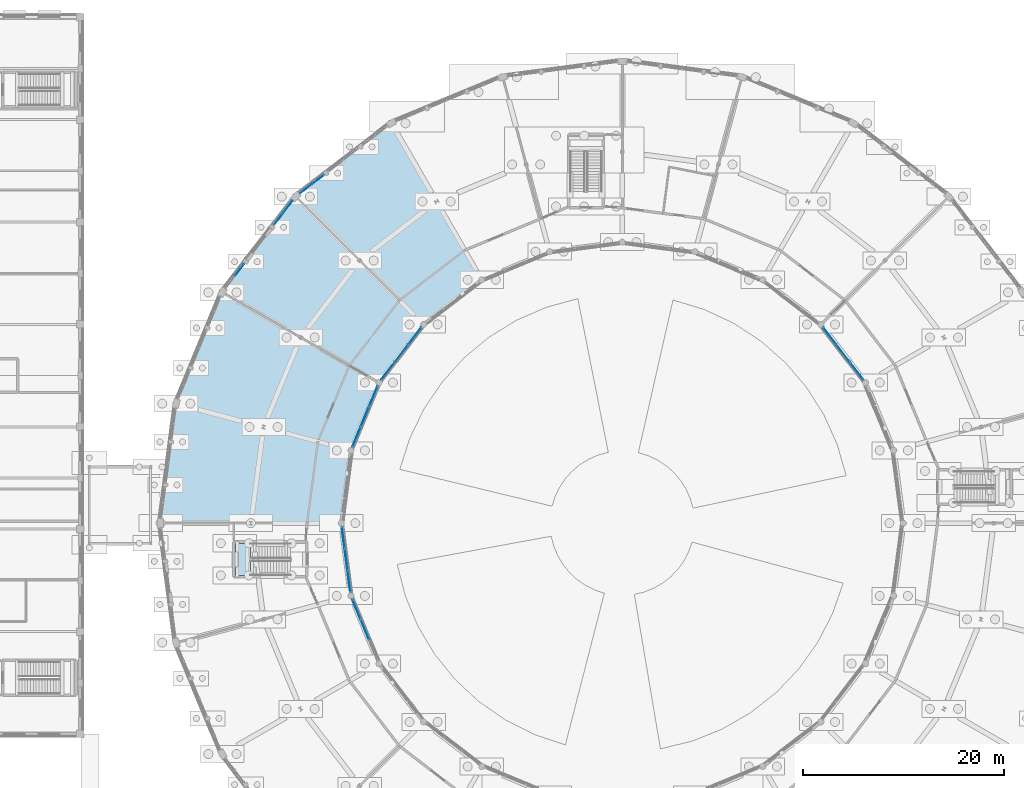
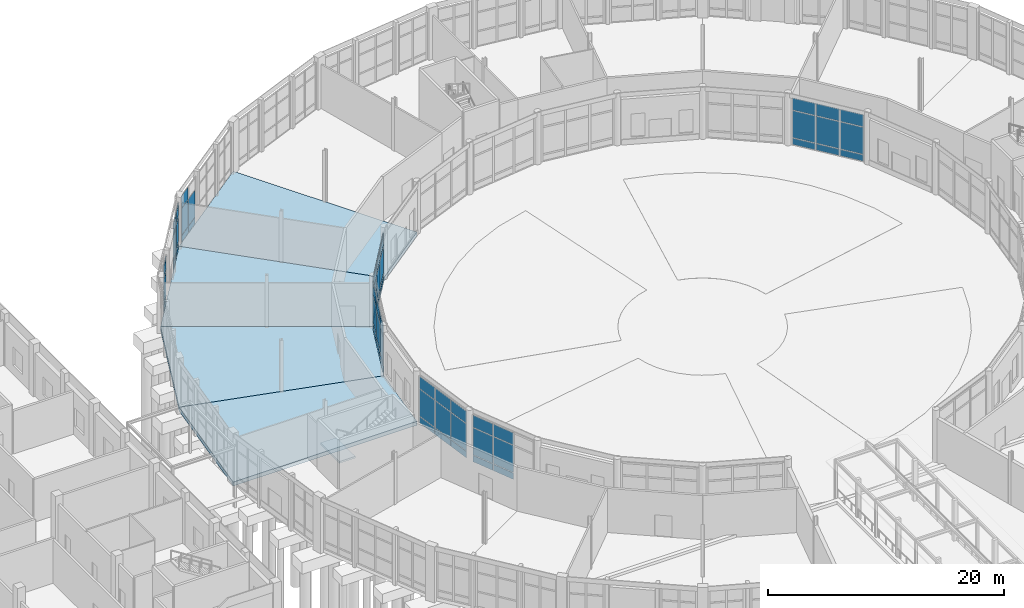
# One storey, part 89 of 137: 56 plates, 5 slabs, 9 elements without a shape of their own.
"""IFC4 building model written with IfcOpenShell, lengths in metres."""

from ifc_helpers import new_model, si_unit, direction, frame, origin, origin_2d, place, context, subcontext, project, spatial, polyline, rectangle, outline, extrude, material, layer, layer_set, type_object, element, aggregate, save


model = new_model("IFC4")

# Units and contexts
model_context = context("Model", 3, precision=1e-05, world=origin(), true_north=direction((0.0, 1.0)))
body_context = subcontext(model_context, "Body", "Model", "MODEL_VIEW")
ifc_project = project(units=[si_unit("LENGTHUNIT", "METRE"), si_unit("AREAUNIT", "SQUARE_METRE"), si_unit("VOLUMEUNIT", "CUBIC_METRE"), si_unit("PLANEANGLEUNIT", "RADIAN"), si_unit("MASSUNIT", "GRAM", prefix="KILO")], contexts=[model_context])

# Site, building, storey
site_placement = place(None, origin())
site = spatial("IfcSite", under=ifc_project, at=site_placement, CompositionType="ELEMENT")
building_placement = place(site_placement, origin())
building = spatial("IfcBuilding", under=site, at=building_placement, Name="Vondelvale Polytechnic", CompositionType="ELEMENT")
storey_placement = place(building_placement, origin())
storey = spatial("IfcBuildingStorey", under=building, at=storey_placement, Name="L00", CompositionType="ELEMENT", Elevation=0.0)

# Curtain wall, plates
ifc_material_1 = material(Name="Anodised extruded aluminium 6063-T6", Category="aluminium")
curtain_wall_type_1 = type_object("IfcCurtainWallType", Name="CW-RING-CLOISTER", PredefinedType="NOTDEFINED", material=ifc_material_1)
curtain_wall_1_placement = place(storey_placement, origin())
curtain_wall_1 = element("IfcCurtainWall", 1, at=curtain_wall_1_placement, inside=storey, type_object=curtain_wall_type_1, Name="L00 architectural curtain wall CW-03-085", PredefinedType="NOTDEFINED")
ifc_material_2 = material(Name="Double-glazed low-E insulated architectural glass", Category="glass")
ifc_layer_1 = layer(ifc_material_2, 0.028076171875)
ifc_layer_set_1 = layer_set([ifc_layer_1], Name="CW-PANEL-GLAZED")
plate_type_1 = type_object("IfcPlateType", Name="CW-PANEL-GLAZED", PredefinedType="CURTAIN_PANEL", material=ifc_layer_set_1)
plate_1_placement = place(storey_placement, frame((125.363037109375, 87.154296875, 0.78271484375), z_axis=(0.0, 0.0, 1.0), x_axis=(-0.608747717793, 0.793363861089, 0.0)))
plate_1 = element("IfcPlate", 2, at=plate_1_placement, type_object=plate_type_1, Name="CW-03-085 panel 1.2", PredefinedType="CURTAIN_PANEL", context=body_context, shape_type="SweptSolid", body=[
    extrude(rectangle(XDim=2.1123046875, YDim=0.028076171875, at=origin_2d()), origin(), (0.0, 0.0, 1.0), 2.784912109375),
])
plate_2_placement = place(storey_placement, frame((125.363037109375, 87.154296875, 3.632568359375), z_axis=(0.0, 0.0, 1.0), x_axis=(-0.608747717793, 0.793363861089, 0.0)))
plate_2 = element("IfcPlate", 3, at=plate_2_placement, type_object=plate_type_1, Name="CW-03-085 panel 1.3", PredefinedType="CURTAIN_PANEL", context=body_context, shape_type="SweptSolid", body=[
    extrude(rectangle(XDim=2.1123046875, YDim=0.028076171875, at=origin_2d()), origin(), (0.0, 0.0, 1.0), 1.25244140625),
])
plate_3_placement = place(storey_placement, frame((124.02392578125, 88.8994140625, 0.78271484375), z_axis=(0.0, 0.0, 1.0), x_axis=(-0.608747717793, 0.793363861089, 0.0)))
plate_3 = element("IfcPlate", 4, at=plate_3_placement, type_object=plate_type_1, Name="CW-03-085 panel 2.2", PredefinedType="CURTAIN_PANEL", context=body_context, shape_type="SweptSolid", body=[
    extrude(rectangle(XDim=2.1474609375, YDim=0.028076171875, at=origin_2d()), origin(), (0.0, 0.0, 1.0), 2.784912109375),
])
plate_4_placement = place(storey_placement, frame((124.02392578125, 88.8994140625, 3.632568359375), z_axis=(0.0, 0.0, 1.0), x_axis=(-0.608747717793, 0.793363861089, 0.0)))
plate_4 = element("IfcPlate", 5, at=plate_4_placement, type_object=plate_type_1, Name="CW-03-085 panel 2.3", PredefinedType="CURTAIN_PANEL", context=body_context, shape_type="SweptSolid", body=[
    extrude(rectangle(XDim=2.1474609375, YDim=0.028076171875, at=origin_2d()), origin(), (0.0, 0.0, 1.0), 1.25244140625),
])
plate_5_placement = place(storey_placement, frame((122.6845703125, 90.644775390625, 0.78271484375), z_axis=(0.0, 0.0, 1.0), x_axis=(-0.608747717793, 0.793363861089, 0.0)))
plate_5 = element("IfcPlate", 6, at=plate_5_placement, type_object=plate_type_1, Name="CW-03-085 panel 3.2", PredefinedType="CURTAIN_PANEL", context=body_context, shape_type="SweptSolid", body=[
    extrude(rectangle(XDim=2.1123046875, YDim=0.028076171875, at=origin_2d()), origin(), (0.0, 0.0, 1.0), 2.784912109375),
])
plate_6_placement = place(storey_placement, frame((122.6845703125, 90.644775390625, 3.632568359375), z_axis=(0.0, 0.0, 1.0), x_axis=(-0.608747717793, 0.793363861089, 0.0)))
plate_6 = element("IfcPlate", 7, at=plate_6_placement, type_object=plate_type_1, Name="CW-03-085 panel 3.3", PredefinedType="CURTAIN_PANEL", context=body_context, shape_type="SweptSolid", body=[
    extrude(rectangle(XDim=2.1123046875, YDim=0.028076171875, at=origin_2d()), origin(), (0.0, 0.0, 1.0), 1.25244140625),
])

ifc_material_3 = material(Name="Glulam GL18 structural Tasmanian oak (fb = 42 MPa)", Category="wood")
curtain_wall_type_2 = type_object("IfcCurtainWallType", Name="CW-RING-OUTER", PredefinedType="NOTDEFINED", material=ifc_material_3)
curtain_wall_2_placement = place(storey_placement, origin())
curtain_wall_2 = element("IfcCurtainWall", 8, at=curtain_wall_2_placement, inside=storey, type_object=curtain_wall_type_2, Name="L00 architectural curtain wall CW-04-193", PredefinedType="NOTDEFINED")
plate_7_placement = place(storey_placement, frame((71.69091796875, 106.228759765625, 0.77978515625), z_axis=(0.0, 0.0, 1.0), x_axis=(-0.793351666305, -0.608763610584, 0.0)))
plate_7 = element("IfcPlate", 9, at=plate_7_placement, type_object=plate_type_1, Name="CW-04-193 panel 1.2", PredefinedType="CURTAIN_PANEL", context=body_context, shape_type="SweptSolid", body=[
    extrude(rectangle(XDim=1.454345703125, YDim=0.028076171875, at=origin_2d()), origin(), (0.0, 0.0, 1.0), 2.760009765625),
])
plate_8_placement = place(storey_placement, frame((70.485595703125, 105.303955078125, 0.77978515625), z_axis=(0.0, 0.0, 1.0), x_axis=(-0.793351666305, -0.608763610584, 0.0)))
plate_8 = element("IfcPlate", 10, at=plate_8_placement, type_object=plate_type_1, Name="CW-04-193 panel 2.2", PredefinedType="CURTAIN_PANEL", context=body_context, shape_type="SweptSolid", body=[
    extrude(rectangle(XDim=1.454345703125, YDim=0.028076171875, at=origin_2d()), origin(), (0.0, 0.0, 1.0), 2.760009765625),
])
plate_9_placement = place(storey_placement, frame((70.485595703125, 105.303955078125, 3.60009765625), z_axis=(0.0, 0.0, 1.0), x_axis=(-0.793351666305, -0.608763610584, 0.0)))
plate_9 = element("IfcPlate", 11, at=plate_9_placement, type_object=plate_type_1, Name="CW-04-193 panel 2.3", PredefinedType="CURTAIN_PANEL", context=body_context, shape_type="SweptSolid", body=[
    extrude(rectangle(XDim=1.454345703125, YDim=0.028076171875, at=origin_2d()), origin(), (0.0, 0.0, 1.0), 1.260009765625),
])

curtain_wall_3_placement = place(storey_placement, origin())
curtain_wall_3 = element("IfcCurtainWall", 12, at=curtain_wall_3_placement, inside=storey, type_object=curtain_wall_type_1, Name="L00 architectural curtain wall CW-03-210", PredefinedType="NOTDEFINED")
plate_10_placement = place(storey_placement, frame((81.3154296875, 90.644775390625, 0.78271484375), z_axis=(0.0, 0.0, 1.0), x_axis=(-0.608747717793, -0.793363861089, 0.0)))
plate_10 = element("IfcPlate", 13, at=plate_10_placement, type_object=plate_type_1, Name="CW-03-210 panel 1.2", PredefinedType="CURTAIN_PANEL", context=body_context, shape_type="SweptSolid", body=[
    extrude(rectangle(XDim=2.1123046875, YDim=0.028076171875, at=origin_2d()), origin(), (0.0, 0.0, 1.0), 2.784912109375),
])
plate_11_placement = place(storey_placement, frame((81.3154296875, 90.644775390625, 3.632568359375), z_axis=(0.0, 0.0, 1.0), x_axis=(-0.608747717793, -0.793363861089, 0.0)))
plate_11 = element("IfcPlate", 14, at=plate_11_placement, type_object=plate_type_1, Name="CW-03-210 panel 1.3", PredefinedType="CURTAIN_PANEL", context=body_context, shape_type="SweptSolid", body=[
    extrude(rectangle(XDim=2.1123046875, YDim=0.028076171875, at=origin_2d()), origin(), (0.0, 0.0, 1.0), 1.25244140625),
])
plate_12_placement = place(storey_placement, frame((79.97607421875, 88.8994140625, 0.78271484375), z_axis=(0.0, 0.0, 1.0), x_axis=(-0.608747717793, -0.793363861089, 0.0)))
plate_12 = element("IfcPlate", 15, at=plate_12_placement, type_object=plate_type_1, Name="CW-03-210 panel 2.2", PredefinedType="CURTAIN_PANEL", context=body_context, shape_type="SweptSolid", body=[
    extrude(rectangle(XDim=2.1474609375, YDim=0.028076171875, at=origin_2d()), origin(), (0.0, 0.0, 1.0), 2.784912109375),
])
plate_13_placement = place(storey_placement, frame((79.97607421875, 88.8994140625, 3.632568359375), z_axis=(0.0, 0.0, 1.0), x_axis=(-0.608747717793, -0.793363861089, 0.0)))
plate_13 = element("IfcPlate", 16, at=plate_13_placement, type_object=plate_type_1, Name="CW-03-210 panel 2.3", PredefinedType="CURTAIN_PANEL", context=body_context, shape_type="SweptSolid", body=[
    extrude(rectangle(XDim=2.1474609375, YDim=0.028076171875, at=origin_2d()), origin(), (0.0, 0.0, 1.0), 1.25244140625),
])
plate_14_placement = place(storey_placement, frame((78.636962890625, 87.154296875, 0.78271484375), z_axis=(0.0, 0.0, 1.0), x_axis=(-0.608747717793, -0.793363861089, 0.0)))
plate_14 = element("IfcPlate", 17, at=plate_14_placement, type_object=plate_type_1, Name="CW-03-210 panel 3.2", PredefinedType="CURTAIN_PANEL", context=body_context, shape_type="SweptSolid", body=[
    extrude(rectangle(XDim=2.1123046875, YDim=0.028076171875, at=origin_2d()), origin(), (0.0, 0.0, 1.0), 2.784912109375),
])
plate_15_placement = place(storey_placement, frame((78.636962890625, 87.154296875, 3.632568359375), z_axis=(0.0, 0.0, 1.0), x_axis=(-0.608747717793, -0.793363861089, 0.0)))
plate_15 = element("IfcPlate", 18, at=plate_15_placement, type_object=plate_type_1, Name="CW-03-210 panel 3.3", PredefinedType="CURTAIN_PANEL", context=body_context, shape_type="SweptSolid", body=[
    extrude(rectangle(XDim=2.1123046875, YDim=0.028076171875, at=origin_2d()), origin(), (0.0, 0.0, 1.0), 1.25244140625),
])

curtain_wall_4_placement = place(storey_placement, origin())
curtain_wall_4 = element("IfcCurtainWall", 19, at=curtain_wall_4_placement, inside=storey, type_object=curtain_wall_type_2, Name="L00 architectural curtain wall CW-04-211", PredefinedType="NOTDEFINED")
plate_16_placement = place(storey_placement, frame((68.696044921875, 103.514404296875, 0.8798828125), z_axis=(0.0, 0.0, 1.0), x_axis=(-0.608763610584, -0.793351666305, 0.0)))
plate_16 = element("IfcPlate", 20, at=plate_16_placement, type_object=plate_type_1, Name="CW-04-211 panel 1.2", PredefinedType="CURTAIN_PANEL", context=body_context, shape_type="SweptSolid", body=[
    extrude(rectangle(XDim=1.454345703125, YDim=0.028076171875, at=origin_2d()), origin(), (0.0, 0.0, 1.0), 2.659912109375),
])
plate_17_placement = place(storey_placement, frame((68.696044921875, 103.514404296875, 3.60009765625), z_axis=(0.0, 0.0, 1.0), x_axis=(-0.608763610584, -0.793351666305, 0.0)))
plate_17 = element("IfcPlate", 21, at=plate_17_placement, type_object=plate_type_1, Name="CW-04-211 panel 1.3", PredefinedType="CURTAIN_PANEL", context=body_context, shape_type="SweptSolid", body=[
    extrude(rectangle(XDim=1.454345703125, YDim=0.028076171875, at=origin_2d()), origin(), (0.0, 0.0, 1.0), 1.260009765625),
])
plate_18_placement = place(storey_placement, frame((67.771240234375, 102.30908203125, 0.8798828125), z_axis=(0.0, 0.0, 1.0), x_axis=(-0.608763610584, -0.793351666305, 0.0)))
plate_18 = element("IfcPlate", 22, at=plate_18_placement, type_object=plate_type_1, Name="CW-04-211 panel 2.2", PredefinedType="CURTAIN_PANEL", context=body_context, shape_type="SweptSolid", body=[
    extrude(rectangle(XDim=1.454345703125, YDim=0.028076171875, at=origin_2d()), origin(), (0.0, 0.0, 1.0), 2.659912109375),
])
plate_19_placement = place(storey_placement, frame((67.771240234375, 102.30908203125, 3.60009765625), z_axis=(0.0, 0.0, 1.0), x_axis=(-0.608763610584, -0.793351666305, 0.0)))
plate_19 = element("IfcPlate", 23, at=plate_19_placement, type_object=plate_type_1, Name="CW-04-211 panel 2.3", PredefinedType="CURTAIN_PANEL", context=body_context, shape_type="SweptSolid", body=[
    extrude(rectangle(XDim=1.454345703125, YDim=0.028076171875, at=origin_2d()), origin(), (0.0, 0.0, 1.0), 1.260009765625),
])

curtain_wall_5_placement = place(storey_placement, origin())
curtain_wall_5 = element("IfcCurtainWall", 24, at=curtain_wall_5_placement, inside=storey, type_object=curtain_wall_type_2, Name="L00 architectural curtain wall CW-04-212", PredefinedType="NOTDEFINED")
plate_20_placement = place(storey_placement, frame((63.86474609375, 97.2177734375, 0.8798828125), z_axis=(0.0, 0.0, 1.0), x_axis=(-0.608763610584, -0.793351666305, 0.0)))
plate_20 = element("IfcPlate", 25, at=plate_20_placement, type_object=plate_type_1, Name="CW-04-212 panel 1.2", PredefinedType="CURTAIN_PANEL", context=body_context, shape_type="SweptSolid", body=[
    extrude(rectangle(XDim=1.454345703125, YDim=0.028076171875, at=origin_2d()), origin(), (0.0, 0.0, 1.0), 2.659912109375),
])
plate_21_placement = place(storey_placement, frame((63.86474609375, 97.2177734375, 3.60009765625), z_axis=(0.0, 0.0, 1.0), x_axis=(-0.608763610584, -0.793351666305, 0.0)))
plate_21 = element("IfcPlate", 26, at=plate_21_placement, type_object=plate_type_1, Name="CW-04-212 panel 1.3", PredefinedType="CURTAIN_PANEL", context=body_context, shape_type="SweptSolid", body=[
    extrude(rectangle(XDim=1.454345703125, YDim=0.028076171875, at=origin_2d()), origin(), (0.0, 0.0, 1.0), 1.260009765625),
])

curtain_wall_6_placement = place(storey_placement, origin())
curtain_wall_6 = element("IfcCurtainWall", 27, at=curtain_wall_6_placement, inside=storey, type_object=curtain_wall_type_1, Name="L00 architectural curtain wall CW-03-225", PredefinedType="NOTDEFINED")
plate_22_placement = place(storey_placement, frame((77.194091796875, 84.655029296875, 0.78271484375), z_axis=(0.0, 0.0, 1.0), x_axis=(-0.382678531697, -0.923881562419, 0.0)))
plate_22 = element("IfcPlate", 28, at=plate_22_placement, type_object=plate_type_1, Name="CW-03-225 panel 1.2", PredefinedType="CURTAIN_PANEL", context=body_context, shape_type="SweptSolid", body=[
    extrude(rectangle(XDim=2.111572265625, YDim=0.028076171875, at=origin_2d()), origin(), (0.0, 0.0, 1.0), 2.784912109375),
])
plate_23_placement = place(storey_placement, frame((77.194091796875, 84.655029296875, 3.632568359375), z_axis=(0.0, 0.0, 1.0), x_axis=(-0.382678531697, -0.923881562419, 0.0)))
plate_23 = element("IfcPlate", 29, at=plate_23_placement, type_object=plate_type_1, Name="CW-03-225 panel 1.3", PredefinedType="CURTAIN_PANEL", context=body_context, shape_type="SweptSolid", body=[
    extrude(rectangle(XDim=2.111572265625, YDim=0.028076171875, at=origin_2d()), origin(), (0.0, 0.0, 1.0), 1.25244140625),
])
plate_24_placement = place(storey_placement, frame((76.352783203125, 82.62353515625, 0.78271484375), z_axis=(0.0, 0.0, 1.0), x_axis=(-0.382678531697, -0.923881562419, 0.0)))
plate_24 = element("IfcPlate", 30, at=plate_24_placement, type_object=plate_type_1, Name="CW-03-225 panel 2.2", PredefinedType="CURTAIN_PANEL", context=body_context, shape_type="SweptSolid", body=[
    extrude(rectangle(XDim=2.146484375, YDim=0.028076171875, at=origin_2d()), origin(), (0.0, 0.0, 1.0), 2.784912109375),
])
plate_25_placement = place(storey_placement, frame((76.352783203125, 82.62353515625, 3.632568359375), z_axis=(0.0, 0.0, 1.0), x_axis=(-0.382678531697, -0.923881562419, 0.0)))
plate_25 = element("IfcPlate", 31, at=plate_25_placement, type_object=plate_type_1, Name="CW-03-225 panel 2.3", PredefinedType="CURTAIN_PANEL", context=body_context, shape_type="SweptSolid", body=[
    extrude(rectangle(XDim=2.146484375, YDim=0.028076171875, at=origin_2d()), origin(), (0.0, 0.0, 1.0), 1.25244140625),
])
plate_26_placement = place(storey_placement, frame((75.51123046875, 80.591796875, 0.78271484375), z_axis=(0.0, 0.0, 1.0), x_axis=(-0.382678531697, -0.923881562419, 0.0)))
plate_26 = element("IfcPlate", 32, at=plate_26_placement, type_object=plate_type_1, Name="CW-03-225 panel 3.2", PredefinedType="CURTAIN_PANEL", context=body_context, shape_type="SweptSolid", body=[
    extrude(rectangle(XDim=2.111572265625, YDim=0.028076171875, at=origin_2d()), origin(), (0.0, 0.0, 1.0), 2.784912109375),
])
plate_27_placement = place(storey_placement, frame((75.51123046875, 80.591796875, 3.632568359375), z_axis=(0.0, 0.0, 1.0), x_axis=(-0.382678531697, -0.923881562419, 0.0)))
plate_27 = element("IfcPlate", 33, at=plate_27_placement, type_object=plate_type_1, Name="CW-03-225 panel 3.3", PredefinedType="CURTAIN_PANEL", context=body_context, shape_type="SweptSolid", body=[
    extrude(rectangle(XDim=2.111572265625, YDim=0.028076171875, at=origin_2d()), origin(), (0.0, 0.0, 1.0), 1.25244140625),
])

curtain_wall_7_placement = place(storey_placement, origin())
curtain_wall_7 = element("IfcCurtainWall", 34, at=curtain_wall_7_placement, inside=storey, type_object=curtain_wall_type_1, Name="L00 architectural curtain wall CW-03-256", PredefinedType="NOTDEFINED")
plate_28_placement = place(storey_placement, frame((74.18994140625, 70.5576171875, 0.78271484375), z_axis=(0.0, 0.0, 1.0), x_axis=(0.130528007165, -0.99144462243, 0.0)))
plate_28 = element("IfcPlate", 35, at=plate_28_placement, type_object=plate_type_1, Name="CW-03-256 panel 1.2", PredefinedType="CURTAIN_PANEL", context=body_context, shape_type="SweptSolid", body=[
    extrude(rectangle(XDim=2.1123046875, YDim=0.028076171875, at=origin_2d()), origin(), (0.0, 0.0, 1.0), 2.784912109375),
])
plate_29_placement = place(storey_placement, frame((74.18994140625, 70.5576171875, 3.632568359375), z_axis=(0.0, 0.0, 1.0), x_axis=(0.130528007165, -0.99144462243, 0.0)))
plate_29 = element("IfcPlate", 36, at=plate_29_placement, type_object=plate_type_1, Name="CW-03-256 panel 1.3", PredefinedType="CURTAIN_PANEL", context=body_context, shape_type="SweptSolid", body=[
    extrude(rectangle(XDim=2.1123046875, YDim=0.028076171875, at=origin_2d()), origin(), (0.0, 0.0, 1.0), 1.25244140625),
])
plate_30_placement = place(storey_placement, frame((74.47705078125, 68.37646484375, 0.78271484375), z_axis=(0.0, 0.0, 1.0), x_axis=(0.130528007165, -0.99144462243, 0.0)))
plate_30 = element("IfcPlate", 37, at=plate_30_placement, type_object=plate_type_1, Name="CW-03-256 panel 2.2", PredefinedType="CURTAIN_PANEL", context=body_context, shape_type="SweptSolid", body=[
    extrude(rectangle(XDim=2.1474609375, YDim=0.028076171875, at=origin_2d()), origin(), (0.0, 0.0, 1.0), 2.784912109375),
])
plate_31_placement = place(storey_placement, frame((74.47705078125, 68.37646484375, 3.632568359375), z_axis=(0.0, 0.0, 1.0), x_axis=(0.130528007165, -0.99144462243, 0.0)))
plate_31 = element("IfcPlate", 38, at=plate_31_placement, type_object=plate_type_1, Name="CW-03-256 panel 2.3", PredefinedType="CURTAIN_PANEL", context=body_context, shape_type="SweptSolid", body=[
    extrude(rectangle(XDim=2.1474609375, YDim=0.028076171875, at=origin_2d()), origin(), (0.0, 0.0, 1.0), 1.25244140625),
])
plate_32_placement = place(storey_placement, frame((74.76416015625, 66.195556640625, 0.78271484375), z_axis=(0.0, 0.0, 1.0), x_axis=(0.130528007165, -0.99144462243, 0.0)))
plate_32 = element("IfcPlate", 39, at=plate_32_placement, type_object=plate_type_1, Name="CW-03-256 panel 3.2", PredefinedType="CURTAIN_PANEL", context=body_context, shape_type="SweptSolid", body=[
    extrude(rectangle(XDim=2.1123046875, YDim=0.028076171875, at=origin_2d()), origin(), (0.0, 0.0, 1.0), 2.784912109375),
])
plate_33_placement = place(storey_placement, frame((74.76416015625, 66.195556640625, 3.632568359375), z_axis=(0.0, 0.0, 1.0), x_axis=(0.130528007165, -0.99144462243, 0.0)))
plate_33 = element("IfcPlate", 40, at=plate_33_placement, type_object=plate_type_1, Name="CW-03-256 panel 3.3", PredefinedType="CURTAIN_PANEL", context=body_context, shape_type="SweptSolid", body=[
    extrude(rectangle(XDim=2.1123046875, YDim=0.028076171875, at=origin_2d()), origin(), (0.0, 0.0, 1.0), 1.25244140625),
])

curtain_wall_8_placement = place(storey_placement, origin())
curtain_wall_8 = element("IfcCurtainWall", 41, at=curtain_wall_8_placement, inside=storey, type_object=curtain_wall_type_1, Name="L00 architectural curtain wall CW-03-275", PredefinedType="NOTDEFINED")
plate_34_placement = place(storey_placement, frame((75.51123046875, 63.408203125, 0.78271484375), z_axis=(0.0, 0.0, 1.0), x_axis=(0.382678531697, -0.923881562419, 0.0)))
plate_34 = element("IfcPlate", 42, at=plate_34_placement, type_object=plate_type_1, Name="CW-03-275 panel 1.2", PredefinedType="CURTAIN_PANEL", context=body_context, shape_type="SweptSolid", body=[
    extrude(rectangle(XDim=2.111572265625, YDim=0.028076171875, at=origin_2d()), origin(), (0.0, 0.0, 1.0), 2.784912109375),
])
plate_35_placement = place(storey_placement, frame((75.51123046875, 63.408203125, 3.632568359375), z_axis=(0.0, 0.0, 1.0), x_axis=(0.382678531697, -0.923881562419, 0.0)))
plate_35 = element("IfcPlate", 43, at=plate_35_placement, type_object=plate_type_1, Name="CW-03-275 panel 1.3", PredefinedType="CURTAIN_PANEL", context=body_context, shape_type="SweptSolid", body=[
    extrude(rectangle(XDim=2.111572265625, YDim=0.028076171875, at=origin_2d()), origin(), (0.0, 0.0, 1.0), 1.25244140625),
])
plate_36_placement = place(storey_placement, frame((76.352783203125, 61.37646484375, 0.78271484375), z_axis=(0.0, 0.0, 1.0), x_axis=(0.382678531697, -0.923881562419, 0.0)))
plate_36 = element("IfcPlate", 44, at=plate_36_placement, type_object=plate_type_1, Name="CW-03-275 panel 2.2", PredefinedType="CURTAIN_PANEL", context=body_context, shape_type="SweptSolid", body=[
    extrude(rectangle(XDim=2.146484375, YDim=0.028076171875, at=origin_2d()), origin(), (0.0, 0.0, 1.0), 2.784912109375),
])
plate_37_placement = place(storey_placement, frame((76.352783203125, 61.37646484375, 3.632568359375), z_axis=(0.0, 0.0, 1.0), x_axis=(0.382678531697, -0.923881562419, 0.0)))
plate_37 = element("IfcPlate", 45, at=plate_37_placement, type_object=plate_type_1, Name="CW-03-275 panel 2.3", PredefinedType="CURTAIN_PANEL", context=body_context, shape_type="SweptSolid", body=[
    extrude(rectangle(XDim=2.146484375, YDim=0.028076171875, at=origin_2d()), origin(), (0.0, 0.0, 1.0), 1.25244140625),
])

# Plate
ifc_material_4 = material(Name="Engineered Tasmanian oak studio and bridge joinery")
ifc_layer_2 = layer(ifc_material_4, 0.0419921875)
ifc_layer_set_2 = layer_set([ifc_layer_2], Name="CW-PANEL-OAK")
plate_type_2 = type_object("IfcPlateType", Name="CW-PANEL-OAK", PredefinedType="CURTAIN_PANEL", material=ifc_layer_set_2)
plate_38_placement = place(storey_placement, frame((125.363037109375, 87.154296875, 0.06494140625), z_axis=(0.0, 0.0, 1.0), x_axis=(-0.608747717793, 0.793363861089, 0.0)))
plate_38 = element("IfcPlate", 46, at=plate_38_placement, type_object=plate_type_2, Name="CW-03-085 panel 1.1", PredefinedType="CURTAIN_PANEL", context=body_context, shape_type="SweptSolid", body=[
    extrude(rectangle(XDim=2.1123046875, YDim=0.0419921875, at=origin_2d()), origin(), (0.0, 0.0, 1.0), 0.652587890625),
])

plate_39_placement = place(storey_placement, frame((124.02392578125, 88.8994140625, 0.06494140625), z_axis=(0.0, 0.0, 1.0), x_axis=(-0.608747717793, 0.793363861089, 0.0)))
plate_39 = element("IfcPlate", 47, at=plate_39_placement, type_object=plate_type_2, Name="CW-03-085 panel 2.1", PredefinedType="CURTAIN_PANEL", context=body_context, shape_type="SweptSolid", body=[
    extrude(rectangle(XDim=2.1474609375, YDim=0.0419921875, at=origin_2d()), origin(), (0.0, 0.0, 1.0), 0.652587890625),
])

plate_40_placement = place(storey_placement, frame((122.6845703125, 90.644775390625, 0.06494140625), z_axis=(0.0, 0.0, 1.0), x_axis=(-0.608747717793, 0.793363861089, 0.0)))
plate_40 = element("IfcPlate", 48, at=plate_40_placement, type_object=plate_type_2, Name="CW-03-085 panel 3.1", PredefinedType="CURTAIN_PANEL", context=body_context, shape_type="SweptSolid", body=[
    extrude(rectangle(XDim=2.1123046875, YDim=0.0419921875, at=origin_2d()), origin(), (0.0, 0.0, 1.0), 0.652587890625),
])

aggregate(curtain_wall_1, [plate_38, plate_1, plate_2, plate_39, plate_3, plate_4, plate_40, plate_5, plate_6])

plate_41_placement = place(storey_placement, frame((81.3154296875, 90.644775390625, 0.06494140625), z_axis=(0.0, 0.0, 1.0), x_axis=(-0.608747717793, -0.793363861089, 0.0)))
plate_41 = element("IfcPlate", 49, at=plate_41_placement, type_object=plate_type_2, Name="CW-03-210 panel 1.1", PredefinedType="CURTAIN_PANEL", context=body_context, shape_type="SweptSolid", body=[
    extrude(rectangle(XDim=2.1123046875, YDim=0.0419921875, at=origin_2d()), origin(), (0.0, 0.0, 1.0), 0.652587890625),
])

plate_42_placement = place(storey_placement, frame((79.97607421875, 88.8994140625, 0.06494140625), z_axis=(0.0, 0.0, 1.0), x_axis=(-0.608747717793, -0.793363861089, 0.0)))
plate_42 = element("IfcPlate", 50, at=plate_42_placement, type_object=plate_type_2, Name="CW-03-210 panel 2.1", PredefinedType="CURTAIN_PANEL", context=body_context, shape_type="SweptSolid", body=[
    extrude(rectangle(XDim=2.1474609375, YDim=0.0419921875, at=origin_2d()), origin(), (0.0, 0.0, 1.0), 0.652587890625),
])

plate_43_placement = place(storey_placement, frame((78.636962890625, 87.154296875, 0.06494140625), z_axis=(0.0, 0.0, 1.0), x_axis=(-0.608747717793, -0.793363861089, 0.0)))
plate_43 = element("IfcPlate", 51, at=plate_43_placement, type_object=plate_type_2, Name="CW-03-210 panel 3.1", PredefinedType="CURTAIN_PANEL", context=body_context, shape_type="SweptSolid", body=[
    extrude(rectangle(XDim=2.1123046875, YDim=0.0419921875, at=origin_2d()), origin(), (0.0, 0.0, 1.0), 0.652587890625),
])

aggregate(curtain_wall_3, [plate_41, plate_10, plate_11, plate_42, plate_12, plate_13, plate_43, plate_14, plate_15])

plate_44_placement = place(storey_placement, frame((68.696044921875, 103.514404296875, 0.06005859375), z_axis=(0.0, 0.0, 1.0), x_axis=(-0.608763610584, -0.793351666305, 0.0)))
plate_44 = element("IfcPlate", 52, at=plate_44_placement, type_object=plate_type_2, Name="CW-04-211 panel 1.1", PredefinedType="CURTAIN_PANEL", context=body_context, shape_type="SweptSolid", body=[
    extrude(rectangle(XDim=1.454345703125, YDim=0.0419921875, at=origin_2d()), origin(), (0.0, 0.0, 1.0), 0.760009765625),
])

plate_45_placement = place(storey_placement, frame((67.771240234375, 102.30908203125, 0.06005859375), z_axis=(0.0, 0.0, 1.0), x_axis=(-0.608763610584, -0.793351666305, 0.0)))
plate_45 = element("IfcPlate", 53, at=plate_45_placement, type_object=plate_type_2, Name="CW-04-211 panel 2.1", PredefinedType="CURTAIN_PANEL", context=body_context, shape_type="SweptSolid", body=[
    extrude(rectangle(XDim=1.454345703125, YDim=0.0419921875, at=origin_2d()), origin(), (0.0, 0.0, 1.0), 0.760009765625),
])

aggregate(curtain_wall_4, [plate_44, plate_16, plate_17, plate_45, plate_18, plate_19])

plate_46_placement = place(storey_placement, frame((63.86474609375, 97.2177734375, 0.06005859375), z_axis=(0.0, 0.0, 1.0), x_axis=(-0.608763610584, -0.793351666305, 0.0)))
plate_46 = element("IfcPlate", 54, at=plate_46_placement, type_object=plate_type_2, Name="CW-04-212 panel 1.1", PredefinedType="CURTAIN_PANEL", context=body_context, shape_type="SweptSolid", body=[
    extrude(rectangle(XDim=1.454345703125, YDim=0.0419921875, at=origin_2d()), origin(), (0.0, 0.0, 1.0), 0.760009765625),
])

aggregate(curtain_wall_5, [plate_46, plate_20, plate_21])

plate_47_placement = place(storey_placement, frame((77.194091796875, 84.655029296875, 0.06494140625), z_axis=(0.0, 0.0, 1.0), x_axis=(-0.382678531697, -0.923881562419, 0.0)))
plate_47 = element("IfcPlate", 55, at=plate_47_placement, type_object=plate_type_2, Name="CW-03-225 panel 1.1", PredefinedType="CURTAIN_PANEL", context=body_context, shape_type="SweptSolid", body=[
    extrude(rectangle(XDim=2.111572265625, YDim=0.0419921875, at=origin_2d()), origin(), (0.0, 0.0, 1.0), 0.652587890625),
])

plate_48_placement = place(storey_placement, frame((76.352783203125, 82.62353515625, 0.06494140625), z_axis=(0.0, 0.0, 1.0), x_axis=(-0.382678531697, -0.923881562419, 0.0)))
plate_48 = element("IfcPlate", 56, at=plate_48_placement, type_object=plate_type_2, Name="CW-03-225 panel 2.1", PredefinedType="CURTAIN_PANEL", context=body_context, shape_type="SweptSolid", body=[
    extrude(rectangle(XDim=2.146484375, YDim=0.0419921875, at=origin_2d()), origin(), (0.0, 0.0, 1.0), 0.652587890625),
])

plate_49_placement = place(storey_placement, frame((75.51123046875, 80.591796875, 0.06494140625), z_axis=(0.0, 0.0, 1.0), x_axis=(-0.382678531697, -0.923881562419, 0.0)))
plate_49 = element("IfcPlate", 57, at=plate_49_placement, type_object=plate_type_2, Name="CW-03-225 panel 3.1", PredefinedType="CURTAIN_PANEL", context=body_context, shape_type="SweptSolid", body=[
    extrude(rectangle(XDim=2.111572265625, YDim=0.0419921875, at=origin_2d()), origin(), (0.0, 0.0, 1.0), 0.652587890625),
])

aggregate(curtain_wall_6, [plate_47, plate_22, plate_23, plate_48, plate_24, plate_25, plate_49, plate_26, plate_27])

plate_50_placement = place(storey_placement, frame((74.18994140625, 70.5576171875, 0.06494140625), z_axis=(0.0, 0.0, 1.0), x_axis=(0.130528007165, -0.99144462243, 0.0)))
plate_50 = element("IfcPlate", 58, at=plate_50_placement, type_object=plate_type_2, Name="CW-03-256 panel 1.1", PredefinedType="CURTAIN_PANEL", context=body_context, shape_type="SweptSolid", body=[
    extrude(rectangle(XDim=2.1123046875, YDim=0.0419921875, at=origin_2d()), origin(), (0.0, 0.0, 1.0), 0.652587890625),
])

plate_51_placement = place(storey_placement, frame((74.47705078125, 68.37646484375, 0.06494140625), z_axis=(0.0, 0.0, 1.0), x_axis=(0.130528007165, -0.99144462243, 0.0)))
plate_51 = element("IfcPlate", 59, at=plate_51_placement, type_object=plate_type_2, Name="CW-03-256 panel 2.1", PredefinedType="CURTAIN_PANEL", context=body_context, shape_type="SweptSolid", body=[
    extrude(rectangle(XDim=2.1474609375, YDim=0.0419921875, at=origin_2d()), origin(), (0.0, 0.0, 1.0), 0.652587890625),
])

plate_52_placement = place(storey_placement, frame((74.76416015625, 66.195556640625, 0.06494140625), z_axis=(0.0, 0.0, 1.0), x_axis=(0.130528007165, -0.99144462243, 0.0)))
plate_52 = element("IfcPlate", 60, at=plate_52_placement, type_object=plate_type_2, Name="CW-03-256 panel 3.1", PredefinedType="CURTAIN_PANEL", context=body_context, shape_type="SweptSolid", body=[
    extrude(rectangle(XDim=2.1123046875, YDim=0.0419921875, at=origin_2d()), origin(), (0.0, 0.0, 1.0), 0.652587890625),
])

aggregate(curtain_wall_7, [plate_50, plate_28, plate_29, plate_51, plate_30, plate_31, plate_52, plate_32, plate_33])

plate_53_placement = place(storey_placement, frame((75.51123046875, 63.408203125, 0.06494140625), z_axis=(0.0, 0.0, 1.0), x_axis=(0.382678531697, -0.923881562419, 0.0)))
plate_53 = element("IfcPlate", 61, at=plate_53_placement, type_object=plate_type_2, Name="CW-03-275 panel 1.1", PredefinedType="CURTAIN_PANEL", context=body_context, shape_type="SweptSolid", body=[
    extrude(rectangle(XDim=2.111572265625, YDim=0.0419921875, at=origin_2d()), origin(), (0.0, 0.0, 1.0), 0.652587890625),
])

plate_54_placement = place(storey_placement, frame((76.352783203125, 61.37646484375, 0.06494140625), z_axis=(0.0, 0.0, 1.0), x_axis=(0.382678531697, -0.923881562419, 0.0)))
plate_54 = element("IfcPlate", 62, at=plate_54_placement, type_object=plate_type_2, Name="CW-03-275 panel 2.1", PredefinedType="CURTAIN_PANEL", context=body_context, shape_type="SweptSolid", body=[
    extrude(rectangle(XDim=2.146484375, YDim=0.0419921875, at=origin_2d()), origin(), (0.0, 0.0, 1.0), 0.652587890625),
])

aggregate(curtain_wall_8, [plate_53, plate_34, plate_35, plate_54, plate_36, plate_37])

ifc_material_5 = material(Name="Kiln-fired architectural terracotta", Category="masonry")
ifc_layer_3 = layer(ifc_material_5, 0.035888671875)
ifc_layer_set_3 = layer_set([ifc_layer_3], Name="CW-PANEL-SPANDREL")
plate_type_3 = type_object("IfcPlateType", Name="CW-PANEL-SPANDREL", PredefinedType="CURTAIN_PANEL", material=ifc_layer_set_3)
plate_55_placement = place(storey_placement, frame((71.69091796875, 106.228759765625, 0.06005859375), z_axis=(0.0, 0.0, 1.0), x_axis=(-0.793351666305, -0.608763610584, 0.0)))
plate_55 = element("IfcPlate", 63, at=plate_55_placement, type_object=plate_type_3, Name="CW-04-193 panel 1.1", PredefinedType="CURTAIN_PANEL", context=body_context, shape_type="SweptSolid", body=[
    extrude(rectangle(XDim=1.454345703125, YDim=0.035888671875, at=origin_2d()), origin(), (0.0, 0.0, 1.0), 0.659912109375),
])

plate_56_placement = place(storey_placement, frame((70.485595703125, 105.303955078125, 0.06005859375), z_axis=(0.0, 0.0, 1.0), x_axis=(-0.793351666305, -0.608763610584, 0.0)))
plate_56 = element("IfcPlate", 64, at=plate_56_placement, type_object=plate_type_3, Name="CW-04-193 panel 2.1", PredefinedType="CURTAIN_PANEL", context=body_context, shape_type="SweptSolid", body=[
    extrude(rectangle(XDim=1.454345703125, YDim=0.035888671875, at=origin_2d()), origin(), (0.0, 0.0, 1.0), 0.659912109375),
])

aggregate(curtain_wall_2, [plate_55, plate_7, plate_56, plate_8, plate_9])

# Slabs
ifc_material_6 = material(Name="Concrete N40 (f'c = 40 MPa)", Category="concrete")
ifc_layer_4 = layer(ifc_material_6, 0.39990234375)
ifc_layer_set_4 = layer_set([ifc_layer_4], Name="SLB-BASE-400")
slab_type_1 = type_object("IfcSlabType", Name="SLB-BASE-400", PredefinedType="BASESLAB", material=ifc_layer_set_4)
slab_1_placement = place(storey_placement, frame((0.0, 0.0, -0.39990234375)))
element("IfcSlab", 65, at=slab_1_placement, inside=storey, type_object=slab_type_1, Name="L00 circular ring sector 08 floor slab", PredefinedType="BASESLAB", context=body_context, shape_type="SweptSolid", body=[
    extrude(outline(polyline([(88.0, 96.248779296875), (79.0, 111.837158203125), (69.47314453125, 104.52685546875), (82.200927734375, 91.799072265625), (88.0, 96.248779296875)])), origin(), (0.0, 0.0, 1.0), 0.39990234375),
])
slab_2_placement = place(storey_placement, frame((0.0, 0.0, -0.39990234375)))
element("IfcSlab", 66, at=slab_2_placement, inside=storey, type_object=slab_type_1, Name="L00 circular ring sector 09 floor slab", PredefinedType="BASESLAB", context=body_context, shape_type="SweptSolid", body=[
    extrude(outline(polyline([(82.200927734375, 91.799072265625), (69.47314453125, 104.52685546875), (62.162841796875, 95.0), (77.751220703125, 86.0), (82.200927734375, 91.799072265625)])), origin(), (0.0, 0.0, 1.0), 0.39990234375),
])
slab_3_placement = place(storey_placement, frame((0.0, 0.0, -0.39990234375)))
element("IfcSlab", 67, at=slab_3_placement, inside=storey, type_object=slab_type_1, Name="L00 circular ring sector 10 floor slab", PredefinedType="BASESLAB", context=body_context, shape_type="SweptSolid", body=[
    extrude(outline(polyline([(77.751220703125, 86.0), (62.162841796875, 95.0), (57.5673828125, 83.90576171875), (74.9541015625, 79.246826171875), (77.751220703125, 86.0)])), origin(), (0.0, 0.0, 1.0), 0.39990234375),
])
slab_4_placement = place(storey_placement, frame((0.0, 0.0, -0.39990234375)))
element("IfcSlab", 68, at=slab_4_placement, inside=storey, type_object=slab_type_1, Name="L00 circular ring sector 11 floor slab", PredefinedType="BASESLAB", context=body_context, shape_type="SweptSolid", body=[
    extrude(outline(polyline([(74.9541015625, 79.246826171875), (57.5673828125, 83.90576171875), (56.0, 72.0), (74.0, 72.0), (74.9541015625, 79.246826171875)])), origin(), (0.0, 0.0, 1.0), 0.39990234375),
])

# Stair, slab
stair_type = type_object("IfcStairType", Name="STR-DOG-1500", PredefinedType="HALF_TURN_STAIR", material=ifc_material_6)
stair_placement = place(storey_placement, origin())
stair = element("IfcStair", 69, at=stair_placement, inside=storey, type_object=stair_type, Name="L00 ST-10", PredefinedType="HALF_TURN_STAIR")
ifc_layer_5 = layer(ifc_material_6, 0.199951171875)
ifc_layer_set_5 = layer_set([ifc_layer_5], Name="SLB-LANDING-200")
slab_type_2 = type_object("IfcSlabType", Name="SLB-LANDING-200", PredefinedType="LANDING", material=ifc_layer_set_5)
slab_5_placement = place(storey_placement, frame((0.0, 0.0, 2.5)))
slab_5 = element("IfcSlab", 70, at=slab_5_placement, type_object=slab_type_2, Name="ST-10 landing 1", PredefinedType="LANDING", context=body_context, shape_type="SweptSolid", body=[
    extrude(outline(polyline([(64.9599609375, 70.0), (63.39990234375, 70.0), (63.39990234375, 66.800048828125), (64.9599609375, 66.800048828125), (64.9599609375, 70.0)])), origin(), (0.0, 0.0, 1.0), 0.199951171875),
])
aggregate(stair, [slab_5])

save(model, "model.ifc")
